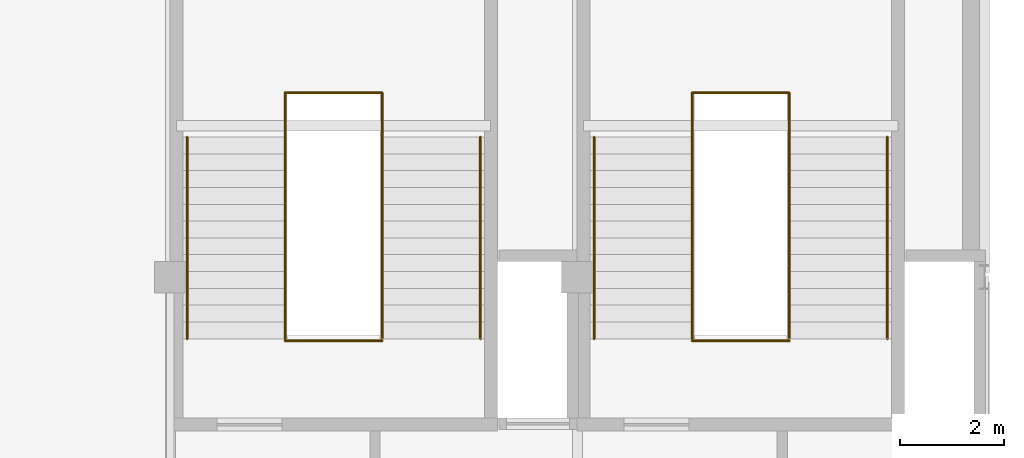
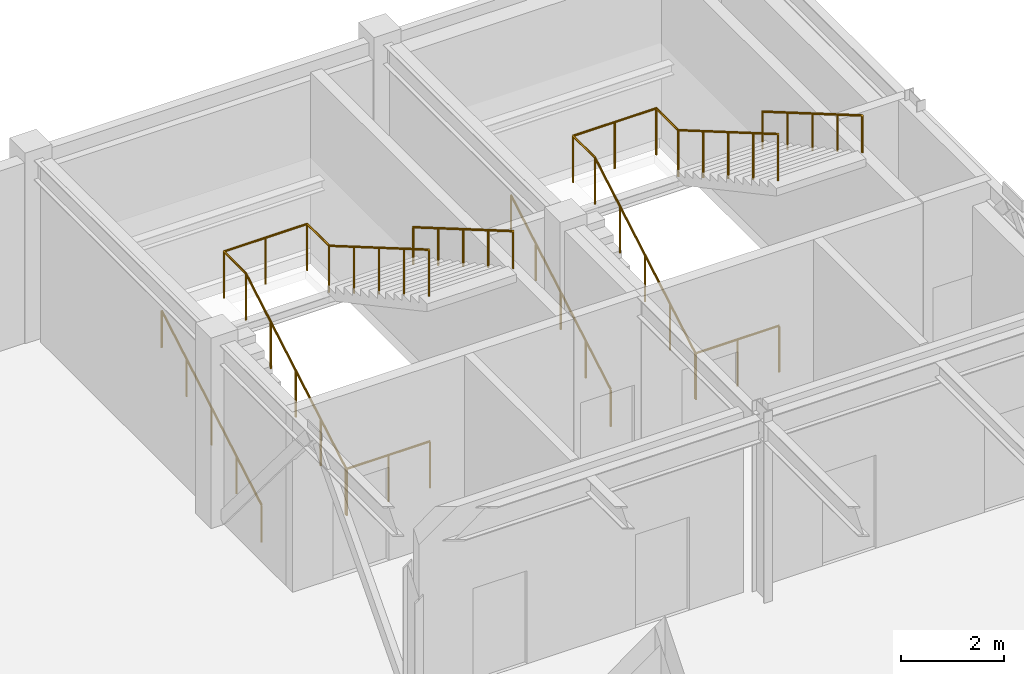
# One storey, part 28 of 28: 8 railings.
"""IFC4 building model written with IfcOpenShell, lengths in metres."""

import ifcopenshell
import ifcopenshell.guid

model = None  # the IFC model being written
_history = None  # IfcOwnerHistory: only IFC2X3 demands one
_inside = {}  # id of a spatial element -> (the spatial element, [elements in it])
_under = {}  # id of a project, library or spatial element -> (it, [spatial elements below it])
_declared = {}  # id of a project -> (the project, [libraries it declares])
_typed = {}  # id of a type object -> (the type object, [elements of that type])
_made_of = {}  # id of a material, layer set ... -> (it, [elements and type objects made of it])


def new_model(schema):
    """Start an empty IFC model of exactly this schema.

    Asked for "IFC4X3", IfcOpenShell would pick the latest addendum, in which some entities
    have other attributes; the version numbers below select the first issue.
    IFC2X3 requires an IfcOwnerHistory on every rooted entity: one is made here for all.
    """
    global model, _history
    if schema == "IFC4X3":
        model = ifcopenshell.file(schema_version=(4, 3, 0, 0))
    else:
        model = ifcopenshell.file(schema=schema)
    _inside.clear()
    _under.clear()
    _declared.clear()
    _typed.clear()
    _made_of.clear()
    _history = None
    if model.schema == "IFC2X3":
        org = make("IfcOrganization", Name="unknown")
        user = make(
            "IfcPersonAndOrganization",
            ThePerson=make("IfcPerson", FamilyName="unknown"),
            TheOrganization=org,
        )
        app = make(
            "IfcApplication",
            ApplicationDeveloper=org,
            Version="unknown",
            ApplicationFullName="unknown",
            ApplicationIdentifier="unknown",
        )
        _history = make(
            "IfcOwnerHistory",
            OwningUser=user,
            OwningApplication=app,
            ChangeAction="ADDED",
            CreationDate=0,
        )
    return model


def make(cls, **values):
    """One entity of the class cls with the attributes given. An attribute that is None is left unset."""
    return model.create_entity(
        cls, **{name: value for name, value in values.items() if value is not None}
    )


def rooted(cls, **values):
    """An entity with a GlobalId (a new one), such as an element, a storey or a relation."""
    return make(cls, GlobalId=ifcopenshell.guid.new(), OwnerHistory=_history, **values)


def si_unit(unit_type, name, prefix=None):
    """IfcSIUnit, for example si_unit("LENGTHUNIT", "METRE", prefix="MILLI")."""
    return make("IfcSIUnit", UnitType=unit_type, Prefix=prefix, Name=name)


def assignment(units):
    """IfcUnitAssignment: the units of a project."""
    return None if units is None else make("IfcUnitAssignment", Units=units)


def point(xyz):
    """IfcCartesianPoint."""
    return None if xyz is None else make("IfcCartesianPoint", Coordinates=xyz)


def direction(xyz):
    """IfcDirection."""
    return None if xyz is None else make("IfcDirection", DirectionRatios=xyz)


def frame(location, z_axis=None, x_axis=None):
    """IfcAxis2Placement3D, a coordinate frame: its origin and axes. An axis left out is left unset."""
    return make(
        "IfcAxis2Placement3D",
        Location=point(location),
        Axis=direction(z_axis),
        RefDirection=direction(x_axis),
    )


def frame_2d(location, x_axis=None):
    """IfcAxis2Placement2D, a coordinate frame in the plane: its origin and x axis."""
    return make(
        "IfcAxis2Placement2D", Location=point(location), RefDirection=direction(x_axis)
    )


def origin():
    """The frame at (0, 0, 0) with its axes left unset."""
    return frame((0.0, 0.0, 0.0))


def origin_2d():
    """The frame at (0, 0) in the plane with its x axis left unset."""
    return frame_2d((0.0, 0.0))


def place(relative_to, where):
    """IfcLocalPlacement: puts the frame where relative to a parent placement (None: the world)."""
    return make(
        "IfcLocalPlacement", PlacementRelTo=relative_to, RelativePlacement=where
    )


def context(
    kind, dimensions, precision=None, world=None, true_north=None, identifier=None
):
    """IfcGeometricRepresentationContext, for example the 3D "Model" context."""
    return make(
        "IfcGeometricRepresentationContext",
        ContextIdentifier=identifier,
        ContextType=kind,
        CoordinateSpaceDimension=dimensions,
        Precision=precision,
        WorldCoordinateSystem=world,
        TrueNorth=true_north,
    )


def subcontext(parent, identifier, kind, view, scale=None):
    """IfcGeometricRepresentationSubContext, for example "Body" below "Model"."""
    return make(
        "IfcGeometricRepresentationSubContext",
        ContextIdentifier=identifier,
        ContextType=kind,
        ParentContext=parent,
        TargetScale=scale,
        TargetView=view,
    )


def project(units=None, contexts=None):
    """IfcProject with its units and contexts."""
    return rooted(
        "IfcProject",
        Name="project",
        RepresentationContexts=contexts,
        UnitsInContext=assignment(units),
    )


def spatial(cls, under=None, at=None, **own):
    """A site, building, storey or space (cls), placed at a placement, below another one or the project."""
    s = rooted(cls, ObjectPlacement=at, **own)
    if under is not None:
        _under.setdefault(under.id(), (under, []))[1].append(s)
    return s


def profile(cls, at=None, kind="AREA", **sizes):
    """A parametric profile (cls). Its sizes go by their IFC names, for example OverallWidth=200.0."""
    return make(cls, ProfileType=kind, Position=at, **sizes)


def circle(**sizes):
    """IfcCircleProfileDef."""
    return profile("IfcCircleProfileDef", **sizes)


def extrude(swept, where, along, depth):
    """IfcExtrudedAreaSolid: the profile swept, set in the frame where, extruded along a direction by depth."""
    return make(
        "IfcExtrudedAreaSolid",
        SweptArea=swept,
        Position=where,
        ExtrudedDirection=direction(along),
        Depth=depth,
    )


def shape(context_of_items, identifier, shape_type, items):
    """IfcShapeRepresentation: the items that make up one representation, for example the "Body"."""
    return make(
        "IfcShapeRepresentation",
        ContextOfItems=context_of_items,
        RepresentationIdentifier=identifier,
        RepresentationType=shape_type,
        Items=items,
    )


def material(Name=None, Category=None):
    """IfcMaterial."""
    return make("IfcMaterial", Name=Name, Category=Category)


def made_of(thing, what):
    """Note that an element or type object is made of a material, layer set ...; save() writes the relation."""
    if what is not None:
        _made_of.setdefault(what.id(), (what, []))[1].append(thing)
    return thing


def type_object(cls, material=None, **own):
    """A type object (cls), such as IfcWallType, which elements share."""
    return made_of(rooted(cls, **own), material)


def element(
    cls,
    number,
    at=None,
    inside=None,
    cuts=None,
    type_object=None,
    material=None,
    context=None,
    identifier="Body",
    shape_type=None,
    held_by="IfcProductDefinitionShape",
    body=None,
    shapes=None,
    **own,
):
    """One element of the class cls, such as IfcWall. Its Tag is "e" and its number.

    at: its placement. inside: the storey or other place that contains it. cuts: it is an
    opening in that element (IfcRelVoidsElement). A single representation is given by context,
    identifier, shape_type and body (its items); several are given by shapes. held_by: the class
    of the entity that holds the representations. save() writes the other relations.
    """
    e = rooted(cls, Tag="e%d" % number, ObjectPlacement=at, **own)
    if body is not None:
        shapes = [shape(context, identifier, shape_type, body)]
    if shapes is not None:
        e.Representation = make(held_by, Representations=shapes)
    if inside is not None:
        _inside.setdefault(inside.id(), (inside, []))[1].append(e)
    if cuts is not None:
        rooted(
            "IfcRelVoidsElement", RelatingBuildingElement=cuts, RelatedOpeningElement=e
        )
    if type_object is not None:
        _typed.setdefault(type_object.id(), (type_object, []))[1].append(e)
    return made_of(e, material)


def aggregate(whole, parts):
    """IfcRelAggregates: a whole, such as a stair, and the parts it consists of."""
    return rooted("IfcRelAggregates", RelatingObject=whole, RelatedObjects=parts)


def save(model, path):
    """Write the relations noted so far, then the file.

    IfcRelAggregates (storeys below a building ...), IfcRelContainedInSpatialStructure (elements
    in a storey), IfcRelDefinesByType, IfcRelAssociatesMaterial and IfcRelDeclares: one each for
    every whole, place, type object, material and project.
    """
    for whole, parts in _under.values():
        aggregate(whole, parts)
    for where, things in _inside.values():
        rooted(
            "IfcRelContainedInSpatialStructure",
            RelatedElements=things,
            RelatingStructure=where,
        )
    for kind, things in _typed.values():
        rooted("IfcRelDefinesByType", RelatedObjects=things, RelatingType=kind)
    for what, things in _made_of.values():
        rooted("IfcRelAssociatesMaterial", RelatedObjects=things, RelatingMaterial=what)
    for by, libraries in _declared.values():
        rooted("IfcRelDeclares", RelatingContext=by, RelatedDefinitions=libraries)
    model.write(path)


model = new_model("IFC4")

# Units and contexts
model_context = context("Model", 3, precision=1e-05, world=origin(), true_north=direction((0.0, 1.0)))
body_context = subcontext(model_context, "Body", "Model", "MODEL_VIEW")
ifc_project = project(units=[si_unit("LENGTHUNIT", "METRE"), si_unit("AREAUNIT", "SQUARE_METRE"), si_unit("VOLUMEUNIT", "CUBIC_METRE"), si_unit("PLANEANGLEUNIT", "RADIAN"), si_unit("MASSUNIT", "GRAM", prefix="KILO")], contexts=[model_context])

# Site, building, storey
site_placement = place(None, origin())
site = spatial("IfcSite", under=ifc_project, at=site_placement, CompositionType="ELEMENT")
building_placement = place(site_placement, origin())
building = spatial("IfcBuilding", under=site, at=building_placement, Name="Xicomal Pleat Aquarium", CompositionType="ELEMENT")
storey_placement = place(building_placement, frame((0.0, 0.0, 15.300048828125)))
storey = spatial("IfcBuildingStorey", under=building, at=storey_placement, Name="L04", CompositionType="ELEMENT", Elevation=15.300048828125)

# Railings
ifc_material_1 = material(Name="Brushed stainless steel 316L", Category="steel")
railing_type_1 = type_object("IfcRailingType", Name="RAL-HR-900", PredefinedType="HANDRAIL", material=ifc_material_1)
railing_1_placement = place(storey_placement, frame((141.919921875, 90.02001953125, 0.0)))
element("IfcRailing", 1, at=railing_1_placement, inside=storey, type_object=railing_type_1, Name="ST-05-L04 flight 1 handrail", PredefinedType="HANDRAIL", context=body_context, shape_type="SweptSolid", body=[
    extrude(circle(Radius=0.02392578125, at=origin_2d()), frame((0.0, 0.0, 0.8759765625), z_axis=(0.0, 0.86416876981, 0.503202083943), x_axis=(-1.0, 0.0, 0.0)), (0.0, 0.0, 1.0), 4.471435546875),
    extrude(circle(Radius=0.02099609375, at=origin_2d()), origin(), (0.0, 0.0, 1.0), 0.851806640625),
    extrude(circle(Radius=0.02099609375, at=origin_2d()), frame((0.0, 0.966064453125, 0.5625)), (0.0, 0.0, 1.0), 0.851806640625),
    extrude(circle(Radius=0.02099609375, at=origin_2d()), frame((0.0, 1.93212890625, 1.125)), (0.0, 0.0, 1.0), 0.851806640625),
    extrude(circle(Radius=0.02099609375, at=origin_2d()), frame((0.0, 2.89794921875, 1.6875)), (0.0, 0.0, 1.0), 0.851806640625),
    extrude(circle(Radius=0.02099609375, at=origin_2d()), frame((0.0, 3.864013671875, 2.25)), (0.0, 0.0, 1.0), 0.851806640625),
])
railing_2_placement = place(storey_placement, frame((147.5400390625, 93.884033203125, 2.25)))
element("IfcRailing", 2, at=railing_2_placement, inside=storey, type_object=railing_type_1, Name="ST-05-L04 flight 2 handrail", PredefinedType="HANDRAIL", context=body_context, shape_type="SweptSolid", body=[
    extrude(circle(Radius=0.02392578125, at=origin_2d()), frame((0.0, 0.0, 0.8759765625), z_axis=(0.0, -0.86416876981, 0.503202083943), x_axis=(1.0, 0.0, 0.0)), (0.0, 0.0, 1.0), 4.471435546875),
    extrude(circle(Radius=0.02099609375, at=origin_2d()), origin(), (0.0, 0.0, 1.0), 0.851806640625),
    extrude(circle(Radius=0.02099609375, at=origin_2d()), frame((0.0, -0.966064453125, 0.5625)), (0.0, 0.0, 1.0), 0.851806640625),
    extrude(circle(Radius=0.02099609375, at=origin_2d()), frame((0.0, -1.93212890625, 1.125)), (0.0, 0.0, 1.0), 0.851806640625),
    extrude(circle(Radius=0.02099609375, at=origin_2d()), frame((0.0, -2.89794921875, 1.6875)), (0.0, 0.0, 1.0), 0.851806640625),
    extrude(circle(Radius=0.02099609375, at=origin_2d()), frame((0.0, -3.864013671875, 2.25)), (0.0, 0.0, 1.0), 0.851806640625),
])
railing_3_placement = place(storey_placement, frame((149.719970703125, 90.02001953125, 0.0)))
element("IfcRailing", 3, at=railing_3_placement, inside=storey, type_object=railing_type_1, Name="ST-06-L04 flight 1 handrail", PredefinedType="HANDRAIL", context=body_context, shape_type="SweptSolid", body=[
    extrude(circle(Radius=0.02392578125, at=origin_2d()), frame((0.0, 0.0, 0.8759765625), z_axis=(0.0, 0.86416876981, 0.503202083943), x_axis=(-1.0, 0.0, 0.0)), (0.0, 0.0, 1.0), 4.471435546875),
    extrude(circle(Radius=0.02099609375, at=origin_2d()), origin(), (0.0, 0.0, 1.0), 0.851806640625),
    extrude(circle(Radius=0.02099609375, at=origin_2d()), frame((0.0, 0.966064453125, 0.5625)), (0.0, 0.0, 1.0), 0.851806640625),
    extrude(circle(Radius=0.02099609375, at=origin_2d()), frame((0.0, 1.93212890625, 1.125)), (0.0, 0.0, 1.0), 0.851806640625),
    extrude(circle(Radius=0.02099609375, at=origin_2d()), frame((0.0, 2.89794921875, 1.6875)), (0.0, 0.0, 1.0), 0.851806640625),
    extrude(circle(Radius=0.02099609375, at=origin_2d()), frame((0.0, 3.864013671875, 2.25)), (0.0, 0.0, 1.0), 0.851806640625),
])
railing_4_placement = place(storey_placement, frame((155.340087890625, 93.884033203125, 2.25)))
element("IfcRailing", 4, at=railing_4_placement, inside=storey, type_object=railing_type_1, Name="ST-06-L04 flight 2 handrail", PredefinedType="HANDRAIL", context=body_context, shape_type="SweptSolid", body=[
    extrude(circle(Radius=0.02392578125, at=origin_2d()), frame((0.0, 0.0, 0.8759765625), z_axis=(0.0, -0.86416876981, 0.503202083943), x_axis=(1.0, 0.0, 0.0)), (0.0, 0.0, 1.0), 4.471435546875),
    extrude(circle(Radius=0.02099609375, at=origin_2d()), origin(), (0.0, 0.0, 1.0), 0.851806640625),
    extrude(circle(Radius=0.02099609375, at=origin_2d()), frame((0.0, -0.966064453125, 0.5625)), (0.0, 0.0, 1.0), 0.851806640625),
    extrude(circle(Radius=0.02099609375, at=origin_2d()), frame((0.0, -1.93212890625, 1.125)), (0.0, 0.0, 1.0), 0.851806640625),
    extrude(circle(Radius=0.02099609375, at=origin_2d()), frame((0.0, -2.89794921875, 1.6875)), (0.0, 0.0, 1.0), 0.851806640625),
    extrude(circle(Radius=0.02099609375, at=origin_2d()), frame((0.0, -3.864013671875, 2.25)), (0.0, 0.0, 1.0), 0.851806640625),
])
ifc_material_2 = material(Name="Brushed stainless steel 316L", Category="steel")
railing_type_2 = type_object("IfcRailingType", Name="RAL-STG-1120", PredefinedType="GUARDRAIL", material=ifc_material_2)
railing_5_placement = place(storey_placement, frame((143.800048828125, 90.02001953125, 0.0)))
element("IfcRailing", 5, at=railing_5_placement, inside=storey, type_object=railing_type_2, Name="ST-05-L04 inner well guard", PredefinedType="GUARDRAIL", context=body_context, shape_type="SweptSolid", body=[
    extrude(circle(Radius=0.02392578125, at=origin_2d()), frame((0.0, 0.0, 1.09619140625), z_axis=(0.0, 0.86416876981, 0.503202083943), x_axis=(-1.0, 0.0, 0.0)), (0.0, 0.0, 1.0), 4.471435546875),
    extrude(circle(Radius=0.02392578125, at=origin_2d()), frame((0.0, 3.864013671875, 3.34619140625), z_axis=(0.0, 1.0, 0.0), x_axis=(-1.0, 0.0, 0.0)), (0.0, 0.0, 1.0), 0.849853515625),
    extrude(circle(Radius=0.02392578125, at=origin_2d()), frame((0.0, 4.7138671875, 3.34619140625), z_axis=(1.0, 0.0, 0.0), x_axis=(0.0, 1.0, 0.0)), (0.0, 0.0, 1.0), 1.85986328125),
    extrude(circle(Radius=0.02392578125, at=origin_2d()), frame((1.85986328125, 4.7138671875, 3.34619140625), z_axis=(0.0, -1.0, 0.0), x_axis=(1.0, 0.0, 0.0)), (0.0, 0.0, 1.0), 0.849853515625),
    extrude(circle(Radius=0.02392578125, at=origin_2d()), frame((1.85986328125, 3.864013671875, 3.34619140625), z_axis=(0.0, -0.86416876981, 0.503202083943), x_axis=(1.0, 0.0, 0.0)), (0.0, 0.0, 1.0), 4.471435546875),
    extrude(circle(Radius=0.02099609375, at=origin_2d()), origin(), (0.0, 0.0, 1.0), 1.072021484375),
    extrude(circle(Radius=0.02099609375, at=origin_2d()), frame((0.0, 0.966064453125, 0.5625)), (0.0, 0.0, 1.0), 1.072021484375),
    extrude(circle(Radius=0.02099609375, at=origin_2d()), frame((0.0, 1.93212890625, 1.125)), (0.0, 0.0, 1.0), 1.072021484375),
    extrude(circle(Radius=0.02099609375, at=origin_2d()), frame((0.0, 2.89794921875, 1.6875)), (0.0, 0.0, 1.0), 1.072021484375),
    extrude(circle(Radius=0.02099609375, at=origin_2d()), frame((0.0, 3.864013671875, 2.25)), (0.0, 0.0, 1.0), 1.072021484375),
    extrude(circle(Radius=0.02099609375, at=origin_2d()), frame((0.0, 4.7138671875, 2.25)), (0.0, 0.0, 1.0), 1.072021484375),
    extrude(circle(Radius=0.02099609375, at=origin_2d()), frame((0.929931640625, 4.7138671875, 2.25)), (0.0, 0.0, 1.0), 1.072021484375),
    extrude(circle(Radius=0.02099609375, at=origin_2d()), frame((1.85986328125, 4.7138671875, 2.25)), (0.0, 0.0, 1.0), 1.072021484375),
    extrude(circle(Radius=0.02099609375, at=origin_2d()), frame((1.85986328125, 3.864013671875, 2.25)), (0.0, 0.0, 1.0), 1.072021484375),
    extrude(circle(Radius=0.02099609375, at=origin_2d()), frame((1.85986328125, 2.89794921875, 2.8125)), (0.0, 0.0, 1.0), 1.072021484375),
    extrude(circle(Radius=0.02099609375, at=origin_2d()), frame((1.85986328125, 1.93212890625, 3.375)), (0.0, 0.0, 1.0), 1.072021484375),
    extrude(circle(Radius=0.02099609375, at=origin_2d()), frame((1.85986328125, 0.966064453125, 3.9375)), (0.0, 0.0, 1.0), 1.072021484375),
    extrude(circle(Radius=0.02099609375, at=origin_2d()), frame((1.85986328125, 0.0, 4.5)), (0.0, 0.0, 1.0), 1.072021484375),
])
railing_6_placement = place(storey_placement, frame((143.800048828125, 89.97998046875, 0.0)))
element("IfcRailing", 6, at=railing_6_placement, inside=storey, type_object=railing_type_2, Name="ST-05-L04 floor landing slot guard", PredefinedType="GUARDRAIL", context=body_context, shape_type="SweptSolid", body=[
    extrude(circle(Radius=0.02392578125, at=origin_2d()), frame((0.0, 0.0, 1.09619140625), z_axis=(1.0, 0.0, 0.0), x_axis=(0.0, 1.0, 0.0)), (0.0, 0.0, 1.0), 1.85986328125),
    extrude(circle(Radius=0.02099609375, at=origin_2d()), origin(), (0.0, 0.0, 1.0), 1.072021484375),
    extrude(circle(Radius=0.02099609375, at=origin_2d()), frame((0.929931640625, 0.0, 0.0)), (0.0, 0.0, 1.0), 1.072021484375),
    extrude(circle(Radius=0.02099609375, at=origin_2d()), frame((1.85986328125, 0.0, 0.0)), (0.0, 0.0, 1.0), 1.072021484375),
])
railing_7_placement = place(storey_placement, frame((151.60009765625, 90.02001953125, 0.0)))
element("IfcRailing", 7, at=railing_7_placement, inside=storey, type_object=railing_type_2, Name="ST-06-L04 inner well guard", PredefinedType="GUARDRAIL", context=body_context, shape_type="SweptSolid", body=[
    extrude(circle(Radius=0.02392578125, at=origin_2d()), frame((0.0, 0.0, 1.09619140625), z_axis=(0.0, 0.86416876981, 0.503202083943), x_axis=(-1.0, 0.0, 0.0)), (0.0, 0.0, 1.0), 4.471435546875),
    extrude(circle(Radius=0.02392578125, at=origin_2d()), frame((0.0, 3.864013671875, 3.34619140625), z_axis=(0.0, 1.0, 0.0), x_axis=(-1.0, 0.0, 0.0)), (0.0, 0.0, 1.0), 0.849853515625),
    extrude(circle(Radius=0.02392578125, at=origin_2d()), frame((0.0, 4.7138671875, 3.34619140625), z_axis=(1.0, 0.0, 0.0), x_axis=(0.0, 1.0, 0.0)), (0.0, 0.0, 1.0), 1.85986328125),
    extrude(circle(Radius=0.02392578125, at=origin_2d()), frame((1.85986328125, 4.7138671875, 3.34619140625), z_axis=(0.0, -1.0, 0.0), x_axis=(1.0, 0.0, 0.0)), (0.0, 0.0, 1.0), 0.849853515625),
    extrude(circle(Radius=0.02392578125, at=origin_2d()), frame((1.85986328125, 3.864013671875, 3.34619140625), z_axis=(0.0, -0.86416876981, 0.503202083943), x_axis=(1.0, 0.0, 0.0)), (0.0, 0.0, 1.0), 4.471435546875),
    extrude(circle(Radius=0.02099609375, at=origin_2d()), origin(), (0.0, 0.0, 1.0), 1.072021484375),
    extrude(circle(Radius=0.02099609375, at=origin_2d()), frame((0.0, 0.966064453125, 0.5625)), (0.0, 0.0, 1.0), 1.072021484375),
    extrude(circle(Radius=0.02099609375, at=origin_2d()), frame((0.0, 1.93212890625, 1.125)), (0.0, 0.0, 1.0), 1.072021484375),
    extrude(circle(Radius=0.02099609375, at=origin_2d()), frame((0.0, 2.89794921875, 1.6875)), (0.0, 0.0, 1.0), 1.072021484375),
    extrude(circle(Radius=0.02099609375, at=origin_2d()), frame((0.0, 3.864013671875, 2.25)), (0.0, 0.0, 1.0), 1.072021484375),
    extrude(circle(Radius=0.02099609375, at=origin_2d()), frame((0.0, 4.7138671875, 2.25)), (0.0, 0.0, 1.0), 1.072021484375),
    extrude(circle(Radius=0.02099609375, at=origin_2d()), frame((0.929931640625, 4.7138671875, 2.25)), (0.0, 0.0, 1.0), 1.072021484375),
    extrude(circle(Radius=0.02099609375, at=origin_2d()), frame((1.85986328125, 4.7138671875, 2.25)), (0.0, 0.0, 1.0), 1.072021484375),
    extrude(circle(Radius=0.02099609375, at=origin_2d()), frame((1.85986328125, 3.864013671875, 2.25)), (0.0, 0.0, 1.0), 1.072021484375),
    extrude(circle(Radius=0.02099609375, at=origin_2d()), frame((1.85986328125, 2.89794921875, 2.8125)), (0.0, 0.0, 1.0), 1.072021484375),
    extrude(circle(Radius=0.02099609375, at=origin_2d()), frame((1.85986328125, 1.93212890625, 3.375)), (0.0, 0.0, 1.0), 1.072021484375),
    extrude(circle(Radius=0.02099609375, at=origin_2d()), frame((1.85986328125, 0.966064453125, 3.9375)), (0.0, 0.0, 1.0), 1.072021484375),
    extrude(circle(Radius=0.02099609375, at=origin_2d()), frame((1.85986328125, 0.0, 4.5)), (0.0, 0.0, 1.0), 1.072021484375),
])
railing_8_placement = place(storey_placement, frame((151.60009765625, 89.97998046875, 0.0)))
element("IfcRailing", 8, at=railing_8_placement, inside=storey, type_object=railing_type_2, Name="ST-06-L04 floor landing slot guard", PredefinedType="GUARDRAIL", context=body_context, shape_type="SweptSolid", body=[
    extrude(circle(Radius=0.02392578125, at=origin_2d()), frame((0.0, 0.0, 1.09619140625), z_axis=(1.0, 0.0, 0.0), x_axis=(0.0, 1.0, 0.0)), (0.0, 0.0, 1.0), 1.85986328125),
    extrude(circle(Radius=0.02099609375, at=origin_2d()), origin(), (0.0, 0.0, 1.0), 1.072021484375),
    extrude(circle(Radius=0.02099609375, at=origin_2d()), frame((0.929931640625, 0.0, 0.0)), (0.0, 0.0, 1.0), 1.072021484375),
    extrude(circle(Radius=0.02099609375, at=origin_2d()), frame((1.85986328125, 0.0, 0.0)), (0.0, 0.0, 1.0), 1.072021484375),
])

save(model, "model.ifc")
